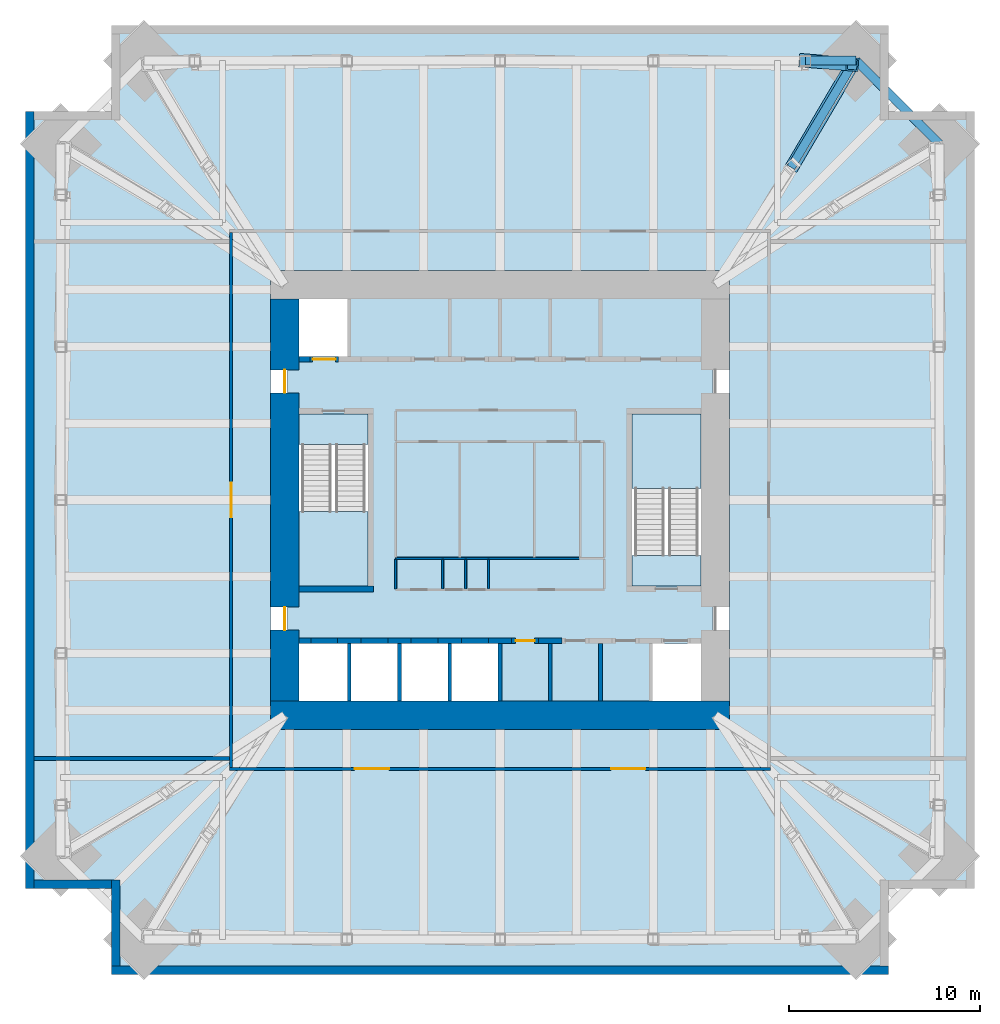
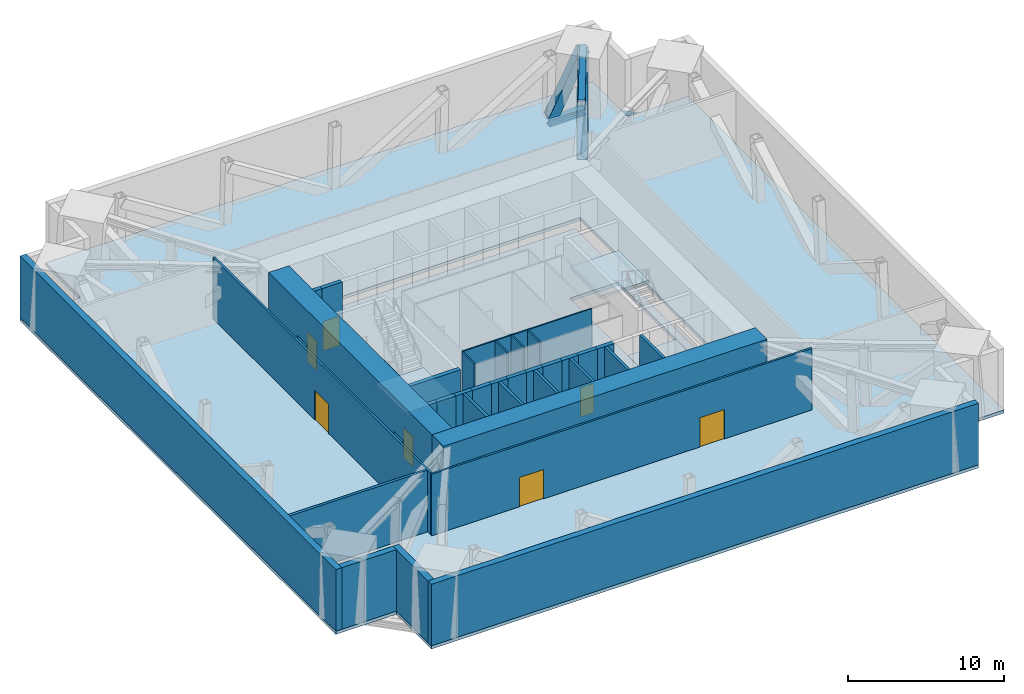
# One storey, part 3 of 6: 34 walls, 7 doors, 6 slabs, 4 members, 1 beam, 7 openings, 2 elements without a shape of their own.
"""IFC4 building model written with IfcOpenShell, lengths in metres."""

from ifc_helpers import new_model, si_unit, direction, frame, frame_2d, origin, origin_2d, place, context, subcontext, project, spatial, polyline, rectangle, hollow_rectangle, i_section, outline, extrude, material, layer, layer_set, material_profile, profile_set, type_object, element, fill, aggregate, save


model = new_model("IFC4")

# Units and contexts
model_context = context("Model", 3, precision=1e-05, world=origin(), true_north=direction((0.0, 1.0)))
body_context = subcontext(model_context, "Body", "Model", "MODEL_VIEW")
ifc_project = project(units=[si_unit("LENGTHUNIT", "METRE"), si_unit("AREAUNIT", "SQUARE_METRE"), si_unit("VOLUMEUNIT", "CUBIC_METRE"), si_unit("PLANEANGLEUNIT", "RADIAN"), si_unit("MASSUNIT", "GRAM", prefix="KILO")], contexts=[model_context])

# Site, building, storey
site_placement = place(None, origin())
site = spatial("IfcSite", under=ifc_project, at=site_placement, CompositionType="ELEMENT")
building_placement = place(site_placement, origin())
building = spatial("IfcBuilding", under=site, at=building_placement, Name="Peilmerk Tower", CompositionType="ELEMENT")
storey_placement = place(building_placement, frame((0.0, 0.0, 196.800048828125)))
storey = spatial("IfcBuildingStorey", under=building, at=storey_placement, Name="L42", CompositionType="ELEMENT", Elevation=196.800048828125)

# Beam
ifc_material_1 = material(Name="Steel S460", Category="steel")
ifc_material_profile_1 = material_profile(ifc_material_1, i_section(OverallWidth=0.4541015625, OverallDepth=0.569091796875, WebThickness=0.077880859375, FlangeThickness=0.125, at=origin_2d()), Name="HD 400x1086")
ifc_profile_set_1 = profile_set([ifc_material_profile_1], Name="Steel S460")
beam_type = type_object("IfcBeamType", Name="B17 HD 400x1086 edge beam", PredefinedType="SPANDREL", material=ifc_profile_set_1)
beam_placement = place(storey_placement, frame((18.611328125, 22.961181640625, -0.53466796875), z_axis=(0.707106781187, -0.707106781187, 0.0), x_axis=(0.707106781187, 0.707106781187, 0.0)))
element("IfcBeam", 1, at=beam_placement, inside=storey, type_object=beam_type, Name="Notch beam L42", PredefinedType="SPANDREL", context=body_context, shape_type="SweptSolid", body=[
    extrude(i_section(OverallWidth=0.4541015625, OverallDepth=0.569091796875, WebThickness=0.077880859375, FlangeThickness=0.125, at=origin_2d()), origin(), (0.0, 0.0, 1.0), 6.151611328125),
])

# Members
ifc_material_profile_2 = material_profile(ifc_material_1, i_section(OverallWidth=0.4541015625, OverallDepth=0.569091796875, WebThickness=0.077880859375, FlangeThickness=0.125, at=origin_2d()), Name="HD 400x1086")
ifc_profile_set_2 = profile_set([ifc_material_profile_2], Name="Steel S460")
member_type_1 = type_object("IfcMemberType", Name="M1 HD 400x1086 belt truss chord", PredefinedType="CHORD", material=ifc_profile_set_2)
member_1_placement = place(storey_placement, frame((18.611328125, 22.961181640625, -0.53466796875), z_axis=(-1.0, 0.0, 0.0), x_axis=(0.0, -1.0, 0.0)))
element("IfcMember", 2, at=member_1_placement, inside=storey, type_object=member_type_1, Name="Belt truss chord L42", PredefinedType="CHORD", context=body_context, shape_type="SweptSolid", body=[
    extrude(i_section(OverallWidth=0.4541015625, OverallDepth=0.569091796875, WebThickness=0.077880859375, FlangeThickness=0.125, at=origin_2d()), origin(), (0.0, 0.0, 1.0), 2.661376953125),
])
member_2_placement = place(storey_placement, frame((15.204833984375, 17.3798828125, 4.54541015625), z_axis=(0.511781298176, 0.859115768006, 0.0), x_axis=(-0.859115768006, 0.511781298176, 0.0)))
element("IfcMember", 3, at=member_2_placement, inside=storey, type_object=member_type_1, Name="Outrigger chord T2 NE", PredefinedType="CHORD", context=body_context, shape_type="SweptSolid", body=[
    extrude(i_section(OverallWidth=0.4541015625, OverallDepth=0.569091796875, WebThickness=0.077880859375, FlangeThickness=0.125, at=origin_2d()), origin(), (0.0, 0.0, 1.0), 6.26220703125),
])
ifc_material_profile_3 = material_profile(ifc_material_1, hollow_rectangle(XDim=0.699951171875, YDim=0.699951171875, WallThickness=0.080078125, at=origin_2d()), Name="BOX 700x700x80")
ifc_profile_set_3 = profile_set([ifc_material_profile_3], Name="Steel S460")
member_type_2 = type_object("IfcMemberType", Name="M4 BOX 700x700x80 outrigger diagonal", PredefinedType="BRACE", material=ifc_profile_set_3)
member_3_placement = place(storey_placement, frame((15.949951171875, 22.961181640625, -0.53466796875), z_axis=(0.435515475554, -0.035662557552, 0.899474542465), x_axis=(0.081612694689, 0.996664119985, 0.0)))
element("IfcMember", 4, at=member_3_placement, inside=storey, type_object=member_type_2, Name="Belt truss diagonal T2 N", PredefinedType="BRACE", context=body_context, shape_type="SweptSolid", body=[
    extrude(hollow_rectangle(XDim=0.699951171875, YDim=0.699951171875, WallThickness=0.080078125, at=origin_2d()), origin(), (0.0, 0.0, 1.0), 5.64794921875),
])
member_4_placement = place(storey_placement, frame((15.3056640625, 17.480712890625, -0.53466796875), z_axis=(0.390107788794, 0.663465527535, 0.638458617997), x_axis=(-0.862028485534, 0.506859832821, 0.0)))
element("IfcMember", 5, at=member_4_placement, inside=storey, type_object=member_type_2, Name="Outrigger diagonal T2", PredefinedType="BRACE", context=body_context, shape_type="SweptSolid", body=[
    extrude(hollow_rectangle(XDim=0.699951171875, YDim=0.699951171875, WallThickness=0.080078125, at=origin_2d()), origin(), (0.0, 0.0, 1.0), 7.956787109375),
])

# Slabs
ifc_material_2 = material(Name="Concrete C55/67", Category="concrete")
ifc_layer_1 = layer(ifc_material_2, 0.25)
ifc_layer_set_1 = layer_set([ifc_layer_1], Name="Concrete C55/67")
slab_type_1 = type_object("IfcSlabType", Name="CS250 250 core floor slab", PredefinedType="FLOOR", material=ifc_layer_set_1)
slab_1_placement = place(storey_placement, frame((0.0, 0.0, -0.25)))
element("IfcSlab", 6, at=slab_1_placement, inside=storey, type_object=slab_type_1, Name="Core slab L42", PredefinedType="FLOOR", context=body_context, shape_type="SweptSolid", body=[
    extrude(outline(polyline([(11.10009765625, -11.10009765625), (11.10009765625, 11.10009765625), (-11.10009765625, 11.10009765625), (-11.10009765625, -11.10009765625), (11.10009765625, -11.10009765625)]), holes=[polyline([(-7.875, 7.5), (-10.5, 7.5), (-10.5, 10.5), (-7.875, 10.5), (-7.875, 7.5)]), polyline([(0.0, -10.5), (-10.5, -10.5), (-10.5, -7.5), (0.0, -7.5), (0.0, -10.5)]), polyline([(7.875, -10.5), (7.875, -7.5), (10.5, -7.5), (10.5, -10.5), (7.875, -10.5)]), polyline([(-10.5, 4.5), (-6.89990234375, 4.5), (-6.89990234375, -4.5), (-10.5, -4.5), (-10.5, 4.5)]), polyline([(10.5, 4.5), (10.5, -4.5), (6.89990234375, -4.5), (6.89990234375, 4.5), (10.5, 4.5)])]), origin(), (0.0, 0.0, 1.0), 0.25),
])
ifc_material_3 = material(Name="Concrete C35/45", Category="concrete")
ifc_layer_2 = layer(ifc_material_3, 0.25)
ifc_layer_set_2 = layer_set([ifc_layer_2], Name="Concrete C35/45")
slab_type_2 = type_object("IfcSlabType", Name="FS250 250 composite floor slab", PredefinedType="FLOOR", material=ifc_layer_set_2)
slab_2_placement = place(storey_placement, frame((0.0, 0.0, -0.25)))
element("IfcSlab", 7, at=slab_2_placement, inside=storey, type_object=slab_type_2, Name="Floor slab L42", PredefinedType="FLOOR", context=body_context, shape_type="SweptSolid", body=[
    extrude(outline(polyline([(-20.300048828125, -24.800048828125), (20.300048828125, -24.800048828125), (20.300048828125, -20.300048828125), (24.800048828125, -20.300048828125), (24.800048828125, 20.300048828125), (20.300048828125, 20.300048828125), (20.300048828125, 24.800048828125), (-20.300048828125, 24.800048828125), (-20.300048828125, 20.300048828125), (-24.800048828125, 20.300048828125), (-24.800048828125, -20.300048828125), (-20.300048828125, -20.300048828125), (-20.300048828125, -24.800048828125)]), holes=[polyline([(12.0, 12.0), (12.0, -12.0), (-12.0, -12.0), (-12.0, 12.0), (12.0, 12.0)])]), origin(), (0.0, 0.0, 1.0), 0.25),
])

# Stair, slab
ifc_material_4 = material(Name="Precast concrete C45/55", Category="concrete")
stair_type_1 = type_object("IfcStairType", Name="ST1 28 risers of 178.6", PredefinedType="HALF_TURN_STAIR", material=ifc_material_4)
stair_1_placement = place(storey_placement, origin())
stair_1 = element("IfcStair", 8, at=stair_1_placement, inside=storey, type_object=stair_type_1, Name="Stair 1 L42 to L43", PredefinedType="HALF_TURN_STAIR")
ifc_layer_3 = layer(ifc_material_3, 0.199951171875)
ifc_layer_set_3 = layer_set([ifc_layer_3], Name="Concrete C35/45")
slab_type_3 = type_object("IfcSlabType", Name="SL1 200 concrete stair landing", PredefinedType="LANDING", material=ifc_layer_set_3)
slab_3_placement = place(storey_placement, frame((0.0, 0.0, 2.300048828125)))
slab_3 = element("IfcSlab", 9, at=slab_3_placement, type_object=slab_type_3, Name="ST1 landing 1", PredefinedType="LANDING", context=body_context, shape_type="SweptSolid", body=[
    extrude(outline(polyline([(-10.5, -4.5), (-6.89990234375, -4.5), (-6.89990234375, -0.610107421875), (-10.5, -0.610107421875), (-10.5, -4.5)])), origin(), (0.0, 0.0, 1.0), 0.199951171875),
])

stair_type_2 = type_object("IfcStairType", Name="ST2 28 risers of 178.6", PredefinedType="HALF_TURN_STAIR", material=ifc_material_4)
stair_2_placement = place(storey_placement, origin())
stair_2 = element("IfcStair", 10, at=stair_2_placement, inside=storey, type_object=stair_type_2, Name="Stair 2 L42 to L43", PredefinedType="HALF_TURN_STAIR")
slab_4_placement = place(storey_placement, frame((0.0, 0.0, 2.300048828125)))
slab_4 = element("IfcSlab", 11, at=slab_4_placement, type_object=slab_type_3, Name="ST2 landing 1", PredefinedType="LANDING", context=body_context, shape_type="SweptSolid", body=[
    extrude(outline(polyline([(6.89990234375, 0.610107421875), (10.5, 0.610107421875), (10.5, 4.5), (6.89990234375, 4.5), (6.89990234375, 0.610107421875)])), origin(), (0.0, 0.0, 1.0), 0.199951171875),
])

# Slab
ifc_layer_4 = layer(ifc_material_3, 0.25)
ifc_layer_set_4 = layer_set([ifc_layer_4], Name="Concrete C35/45")
slab_type_4 = type_object("IfcSlabType", Name="SL2 250 concrete floor landing", PredefinedType="LANDING", material=ifc_layer_set_4)
slab_5_placement = place(storey_placement, frame((0.0, 0.0, -0.25)))
slab_5 = element("IfcSlab", 12, at=slab_5_placement, type_object=slab_type_4, Name="ST1 floor landing", PredefinedType="LANDING", context=body_context, shape_type="SweptSolid", body=[
    extrude(outline(polyline([(-10.5, 2.89990234375), (-6.89990234375, 2.89990234375), (-6.89990234375, 4.5), (-10.5, 4.5), (-10.5, 2.89990234375)])), origin(), (0.0, 0.0, 1.0), 0.25),
])

aggregate(stair_1, [slab_3, slab_5])

slab_6_placement = place(storey_placement, frame((0.0, 0.0, -0.25)))
slab_6 = element("IfcSlab", 13, at=slab_6_placement, type_object=slab_type_4, Name="ST2 floor landing", PredefinedType="LANDING", context=body_context, shape_type="SweptSolid", body=[
    extrude(outline(polyline([(6.89990234375, -4.5), (10.5, -4.5), (10.5, -2.89990234375), (6.89990234375, -2.89990234375), (6.89990234375, -4.5)])), origin(), (0.0, 0.0, 1.0), 0.25),
])

aggregate(stair_2, [slab_4, slab_6])

# Walls
ifc_material_5 = material(Name="Precast concrete C45/55, board-marked finish", Category="concrete")
ifc_layer_5 = layer(ifc_material_5, 0.449951171875)
ifc_layer_set_5 = layer_set([ifc_layer_5], Name="Precast concrete C45/55, board-marked finish")
wall_type_1 = type_object("IfcWallType", Name="EW1 450 precast concrete facade wall, board-marked", PredefinedType="SOLIDWALL", material=ifc_layer_set_5)
for number, where, z_axis, x_axis, name in (
    (14, (-20.300048828125, -24.574951171875, 0.0), (0.0, 0.0, 1.0), (1.0, 0.0, 0.0), "Facade wall S L42"),
    (15, (-24.574951171875, 20.300048828125, 0.0), (0.0, 0.0, 1.0), (0.0, -1.0, 0.0), "Facade wall W L42"),
):
    element("IfcWall", number, at=place(storey_placement, frame(where, z_axis=z_axis, x_axis=x_axis)), inside=storey, type_object=wall_type_1, Name=name, PredefinedType="SOLIDWALL", context=body_context, shape_type="SweptSolid", body=[
        extrude(rectangle(XDim=40.60009765625, YDim=0.449951171875, at=frame_2d((20.300048828125, 0.0))), origin(), (0.0, 0.0, 1.0), 4.829833984375),
    ])
wall_1_placement = place(storey_placement, frame((-20.074951171875, -19.85009765625, 0.0), z_axis=(0.0, 0.0, 1.0), x_axis=(0.0, -1.0, 0.0)))
element("IfcWall", 16, at=wall_1_placement, inside=storey, type_object=wall_type_1, Name="Facade wall SWA L42", PredefinedType="SOLIDWALL", context=body_context, shape_type="SweptSolid", body=[
    extrude(rectangle(XDim=4.5, YDim=0.449951171875, at=frame_2d((2.25, 0.0))), origin(), (0.0, 0.0, 1.0), 4.829833984375),
])
wall_2_placement = place(storey_placement, frame((-20.300048828125, -20.074951171875, 0.0), z_axis=(0.0, 0.0, 1.0), x_axis=(-1.0, 0.0, 0.0)))
element("IfcWall", 17, at=wall_2_placement, inside=storey, type_object=wall_type_1, Name="Facade wall SWB L42", PredefinedType="SOLIDWALL", context=body_context, shape_type="SweptSolid", body=[
    extrude(rectangle(XDim=4.050048828125, YDim=0.449951171875, at=frame_2d((2.02490234375, 0.0))), origin(), (0.0, 0.0, 1.0), 4.829833984375),
])

# Wall, openings, doors
ifc_material_6 = material(Name="Calcium silicate block", Category="masonry")
ifc_layer_6 = layer(ifc_material_6, 0.14990234375)
ifc_layer_set_6 = layer_set([ifc_layer_6], Name="Calcium silicate block")
wall_type_2 = type_object("IfcWallType", Name="IW1 150 corridor partition, EI 60", PredefinedType="PARTITIONING", material=ifc_layer_set_6)
wall_3_placement = place(storey_placement, frame((14.125, -14.050048828125, 0.0), z_axis=(0.0, 0.0, 1.0), x_axis=(-1.0, 0.0, 0.0)))
wall_3 = element("IfcWall", 18, at=wall_3_placement, inside=storey, type_object=wall_type_2, Name="Corridor wall S L42", PredefinedType="PARTITIONING", context=body_context, shape_type="SweptSolid", body=[
    extrude(rectangle(XDim=28.25, YDim=0.14990234375, at=frame_2d((14.125, 0.0))), origin(), (0.0, 0.0, 1.0), 4.829833984375),
])
opening_1_placement = place(wall_3_placement, frame((19.925048828125, 0.0, 0.0)))
opening_1 = element("IfcOpeningElement", 19, at=opening_1_placement, cuts=wall_3, Name="Opening D2", PredefinedType="OPENING", context=body_context, shape_type="SweptSolid", body=[
    extrude(rectangle(XDim=1.800048828125, YDim=2.300048828125, at=frame_2d((0.89990234375, 1.14990234375))), frame((0.0, 0.0849609375, 0.0), z_axis=(0.0, -1.0, 0.0), x_axis=(1.0, 0.0, 0.0)), (0.0, 0.0, 1.0), 0.169921875),
])
opening_2_placement = place(wall_3_placement, frame((6.52490234375, 0.0, 0.0)))
opening_2 = element("IfcOpeningElement", 20, at=opening_2_placement, cuts=wall_3, Name="Opening D2", PredefinedType="OPENING", context=body_context, shape_type="SweptSolid", body=[
    extrude(rectangle(XDim=1.800048828125, YDim=2.300048828125, at=frame_2d((0.89990234375, 1.14990234375))), frame((0.0, 0.0849609375, 0.0), z_axis=(0.0, -1.0, 0.0), x_axis=(1.0, 0.0, 0.0)), (0.0, 0.0, 1.0), 0.169921875),
])
ifc_material_7 = material(Name="Steel door in steel frame", Category="steel")
door_type_1 = type_object("IfcDoorType", Name="D2 1800x2300 double door, EI2 60", OperationType="DOUBLE_DOOR_DOUBLE_SWING", PredefinedType="DOOR", material=ifc_material_7)
door_1_placement = place(opening_1_placement, origin())
door_1 = element("IfcDoor", 21, at=door_1_placement, inside=storey, type_object=door_type_1, Name="Door Air handling plant room L42", OperationType="DOUBLE_DOOR_DOUBLE_SWING", OverallHeight=2.300048828125, OverallWidth=1.800048828125, PredefinedType="DOOR", context=body_context, shape_type="SweptSolid", body=[
    extrude(rectangle(XDim=1.800048828125, YDim=2.300048828125, at=frame_2d((0.89990234375, 1.14990234375))), frame((0.0, 0.02490234375, 0.0), z_axis=(0.0, -1.0, 0.0), x_axis=(1.0, 0.0, 0.0)), (0.0, 0.0, 1.0), 0.050048828125),
])
fill(opening_1, door_1)
door_2_placement = place(opening_2_placement, origin())
door_2 = element("IfcDoor", 22, at=door_2_placement, inside=storey, type_object=door_type_1, Name="Door Air handling plant room L42", OperationType="DOUBLE_DOOR_DOUBLE_SWING", OverallHeight=2.300048828125, OverallWidth=1.800048828125, PredefinedType="DOOR", context=body_context, shape_type="SweptSolid", body=[
    extrude(rectangle(XDim=1.800048828125, YDim=2.300048828125, at=frame_2d((0.89990234375, 1.14990234375))), frame((0.0, 0.02490234375, 0.0), z_axis=(0.0, -1.0, 0.0), x_axis=(1.0, 0.0, 0.0)), (0.0, 0.0, 1.0), 0.050048828125),
])
fill(opening_2, door_2)

# Wall, opening, door
wall_4_placement = place(storey_placement, frame((-14.050048828125, 13.97509765625, 0.0), z_axis=(0.0, 0.0, 1.0), x_axis=(0.0, -1.0, 0.0)))
wall_4 = element("IfcWall", 23, at=wall_4_placement, inside=storey, type_object=wall_type_2, Name="Corridor wall W L42", PredefinedType="PARTITIONING", context=body_context, shape_type="SweptSolid", body=[
    extrude(rectangle(XDim=27.9501953125, YDim=0.14990234375, at=frame_2d((13.97509765625, 0.0))), origin(), (0.0, 0.0, 1.0), 4.829833984375),
])
opening_3_placement = place(wall_4_placement, frame((13.074951171875, 0.0, 0.0)))
opening_3 = element("IfcOpeningElement", 24, at=opening_3_placement, cuts=wall_4, Name="Opening D2", PredefinedType="OPENING", context=body_context, shape_type="SweptSolid", body=[
    extrude(rectangle(XDim=1.800048828125, YDim=2.300048828125, at=frame_2d((0.89990234375, 1.14990234375))), frame((0.0, 0.0849609375, 0.0), z_axis=(0.0, -1.0, 0.0), x_axis=(1.0, 0.0, 0.0)), (0.0, 0.0, 1.0), 0.169921875),
])
door_3_placement = place(opening_3_placement, frame((1.800048828125, 0.0, 0.0), z_axis=(0.0, 0.0, 1.0), x_axis=(-1.0, 0.0, 0.0)))
door_3 = element("IfcDoor", 25, at=door_3_placement, inside=storey, type_object=door_type_1, Name="Door Refuge area L42", OperationType="DOUBLE_DOOR_DOUBLE_SWING", OverallHeight=2.300048828125, OverallWidth=1.800048828125, PredefinedType="DOOR", context=body_context, shape_type="SweptSolid", body=[
    extrude(rectangle(XDim=1.800048828125, YDim=2.300048828125, at=frame_2d((0.89990234375, 1.14990234375))), frame((0.0, 0.02490234375, 0.0), z_axis=(0.0, -1.0, 0.0), x_axis=(1.0, 0.0, 0.0)), (0.0, 0.0, 1.0), 0.050048828125),
])
fill(opening_3, door_3)

# Walls
ifc_layer_7 = layer(ifc_material_6, 0.199951171875)
ifc_layer_set_7 = layer_set([ifc_layer_7], Name="Calcium silicate block")
wall_type_3 = type_object("IfcWallType", Name="IW2 200 room separating wall, EI 120", PredefinedType="PARTITIONING", material=ifc_layer_set_7)
wall_5_placement = place(storey_placement, frame((-14.125, -13.5, 0.0), z_axis=(0.0, 0.0, 1.0), x_axis=(-1.0, 0.0, 0.0)))
element("IfcWall", 26, at=wall_5_placement, inside=storey, type_object=wall_type_3, Name="Room separating wall SW L42", PredefinedType="PARTITIONING", context=body_context, shape_type="SweptSolid", body=[
    extrude(rectangle(XDim=10.22509765625, YDim=0.199951171875, at=frame_2d((5.112548828125, 0.0))), origin(), (0.0, 0.0, 1.0), 4.829833984375),
])
ifc_layer_8 = layer(ifc_material_3, 0.300048828125)
ifc_layer_set_8 = layer_set([ifc_layer_8], Name="Concrete C35/45")
wall_type_4 = type_object("IfcWallType", Name="IW3 300 concrete stair enclosure wall, EI 120", PredefinedType="SOLIDWALL", material=ifc_layer_set_8)
wall_6_placement = place(storey_placement, frame((-6.60009765625, -4.64990234375, 0.0), z_axis=(0.0, 0.0, 1.0), x_axis=(-1.0, 0.0, 0.0)))
element("IfcWall", 27, at=wall_6_placement, inside=storey, type_object=wall_type_4, Name="Stair 1 enclosure L42", PredefinedType="SOLIDWALL", context=body_context, shape_type="SweptSolid", body=[
    extrude(rectangle(XDim=3.89990234375, YDim=0.300048828125, at=frame_2d((1.949951171875, 0.0))), origin(), (0.0, 0.0, 1.0), 4.75),
])
ifc_material_8 = material(Name="Plasterboard on steel studs", Category="steel")
ifc_layer_9 = layer(ifc_material_8, 0.10009765625)
ifc_layer_set_9 = layer_set([ifc_layer_9], Name="Plasterboard on steel studs")
wall_type_5 = type_object("IfcWallType", Name="IW4 100 WC partition", PredefinedType="PARTITIONING", material=ifc_layer_set_9)
wall_7_placement = place(storey_placement, frame((4.14990234375, -3.050048828125, 0.0), z_axis=(0.0, 0.0, 1.0), x_axis=(-1.0, 0.0, 0.0)))
element("IfcWall", 28, at=wall_7_placement, inside=storey, type_object=wall_type_5, Name="WC wall L42", PredefinedType="PARTITIONING", context=body_context, shape_type="SweptSolid", body=[
    extrude(rectangle(XDim=9.599853515625, YDim=0.10009765625, at=frame_2d((4.7998046875, 0.0))), origin(), (0.0, 0.0, 1.0), 4.75),
])
ifc_material_9 = material(Name="Calcium silicate board on steel studs", Category="steel")
ifc_layer_10 = layer(ifc_material_9, 0.10009765625)
ifc_layer_set_10 = layer_set([ifc_layer_10], Name="Calcium silicate board on steel studs")
wall_type_6 = type_object("IfcWallType", Name="IW5 100 riser enclosure wall, EI 60", PredefinedType="PARTITIONING", material=ifc_layer_set_10)
for number, where, z_axis, x_axis, name in (
    (29, (-5.449951171875, -3.10009765625, 0.0), (0.0, 0.0, 1.0), (0.0, -1.0, 0.0), "Riser wall L42"),
    (30, (-3.0, -3.10009765625, 0.0), (0.0, 0.0, 1.0), (0.0, -1.0, 0.0), "Riser wall L42"),
    (31, (-1.800048828125, -3.10009765625, 0.0), (0.0, 0.0, 1.0), (0.0, -1.0, 0.0), "Riser wall L42"),
    (32, (-0.60009765625, -3.10009765625, 0.0), (0.0, 0.0, 1.0), (0.0, -1.0, 0.0), "Riser wall L42"),
):
    element("IfcWall", number, at=place(storey_placement, frame(where, z_axis=z_axis, x_axis=x_axis)), inside=storey, type_object=wall_type_6, Name=name, PredefinedType="PARTITIONING", context=body_context, shape_type="SweptSolid", body=[
        extrude(rectangle(XDim=1.5498046875, YDim=0.10009765625, at=frame_2d((0.77490234375, 0.0))), origin(), (0.0, 0.0, 1.0), 4.75),
    ])
ifc_layer_11 = layer(ifc_material_6, 0.199951171875)
ifc_layer_set_11 = layer_set([ifc_layer_11], Name="Calcium silicate block")
wall_type_7 = type_object("IfcWallType", Name="SH1 200 shaft dividing wall, EI 120", PredefinedType="PARTITIONING", material=ifc_layer_set_11)
for number, where, z_axis, x_axis, name in (
    (33, (-7.875, -10.5, 0.0), (0.0, 0.0, 1.0), (0.0, 1.0, 0.0), "Shaft wall S C4 L42"),
    (34, (-5.25, -10.5, 0.0), (0.0, 0.0, 1.0), (0.0, 1.0, 0.0), "Shaft wall S C3 L42"),
    (35, (-2.625, -10.5, 0.0), (0.0, 0.0, 1.0), (0.0, 1.0, 0.0), "Shaft wall S C2 L42"),
    (36, (0.0, -10.5, 0.0), (0.0, 0.0, 1.0), (0.0, 1.0, 0.0), "Shaft wall S C1 L42"),
    (37, (2.625, -10.5, 0.0), (0.0, 0.0, 1.0), (0.0, 1.0, 0.0), "Shaft wall S B3 L42"),
    (38, (5.25, -10.5, 0.0), (0.0, 0.0, 1.0), (0.0, 1.0, 0.0), "Shaft wall S B2 L42"),
):
    element("IfcWall", number, at=place(storey_placement, frame(where, z_axis=z_axis, x_axis=x_axis)), inside=storey, type_object=wall_type_7, Name=name, PredefinedType="PARTITIONING", context=body_context, shape_type="SweptSolid", body=[
        extrude(rectangle(XDim=3.0, YDim=0.199951171875, at=frame_2d((1.5, 0.0))), origin(), (0.0, 0.0, 1.0), 5.0),
    ])

# Wall, opening, door
ifc_layer_12 = layer(ifc_material_6, 0.300048828125)
ifc_layer_set_12 = layer_set([ifc_layer_12], Name="Calcium silicate block")
wall_type_8 = type_object("IfcWallType", Name="SH2 300 lift landing door panel, EI 120", PredefinedType="PARTITIONING", material=ifc_layer_set_12)
wall_8_placement = place(storey_placement, frame((-9.9375, 7.35009765625, 0.0), z_axis=(0.0, 0.0, 1.0), x_axis=(1.0, 0.0, 0.0)))
wall_8 = element("IfcWall", 39, at=wall_8_placement, inside=storey, type_object=wall_type_8, Name="Lift door panel N FL1 L42", PredefinedType="PARTITIONING", context=body_context, shape_type="SweptSolid", body=[
    extrude(rectangle(XDim=1.5, YDim=0.300048828125, at=frame_2d((0.75, 0.0))), origin(), (0.0, 0.0, 1.0), 5.0),
])
opening_4_placement = place(wall_8_placement, frame((0.14990234375, 0.0, 0.0)))
opening_4 = element("IfcOpeningElement", 40, at=opening_4_placement, cuts=wall_8, Name="Opening LD2", PredefinedType="OPENING", context=body_context, shape_type="SweptSolid", body=[
    extrude(rectangle(XDim=1.199951171875, YDim=2.300048828125, at=frame_2d((0.60009765625, 1.14990234375))), frame((0.0, 0.159912109375, 0.0), z_axis=(0.0, -1.0, 0.0), x_axis=(1.0, 0.0, 0.0)), (0.0, 0.0, 1.0), 0.320068359375),
])
ifc_material_10 = material(Name="Stainless steel landing door", Category="steel")
door_type_2 = type_object("IfcDoorType", Name="LD2 1200x2300 lift landing door, sliding, EI2 60", OperationType="SLIDING_TO_LEFT", PredefinedType="DOOR", material=ifc_material_10)
door_4_placement = place(opening_4_placement, frame((1.199951171875, 0.0, 0.0), z_axis=(0.0, 0.0, 1.0), x_axis=(-1.0, 0.0, 0.0)))
door_4 = element("IfcDoor", 41, at=door_4_placement, inside=storey, type_object=door_type_2, Name="Lift landing door FL1 L42", OperationType="SLIDING_TO_LEFT", OverallHeight=2.300048828125, OverallWidth=1.199951171875, PredefinedType="DOOR", context=body_context, shape_type="SweptSolid", body=[
    extrude(rectangle(XDim=1.199951171875, YDim=2.300048828125, at=frame_2d((0.60009765625, 1.14990234375))), frame((0.0, 0.02490234375, 0.0), z_axis=(0.0, -1.0, 0.0), x_axis=(1.0, 0.0, 0.0)), (0.0, 0.0, 1.0), 0.050048828125),
])
fill(opening_4, door_4)

# Walls
for number, where, z_axis, x_axis, name in (
    (42, (-9.887451171875, -7.35009765625, 0.0), (0.0, 0.0, 1.0), (1.0, 0.0, 0.0), "Lift door panel S C4 L42"),
    (43, (-7.262451171875, -7.35009765625, 0.0), (0.0, 0.0, 1.0), (1.0, 0.0, 0.0), "Lift door panel S C3 L42"),
    (44, (-4.637451171875, -7.35009765625, 0.0), (0.0, 0.0, 1.0), (1.0, 0.0, 0.0), "Lift door panel S C2 L42"),
    (45, (-2.012451171875, -7.35009765625, 0.0), (0.0, 0.0, 1.0), (1.0, 0.0, 0.0), "Lift door panel S C1 L42"),
):
    element("IfcWall", number, at=place(storey_placement, frame(where, z_axis=z_axis, x_axis=x_axis)), inside=storey, type_object=wall_type_8, Name=name, PredefinedType="PARTITIONING", context=body_context, shape_type="SweptSolid", body=[
        extrude(rectangle(XDim=1.39990234375, YDim=0.300048828125, at=frame_2d((0.699951171875, 0.0))), origin(), (0.0, 0.0, 1.0), 5.0),
    ])

# Wall, opening, door
wall_9_placement = place(storey_placement, frame((0.612548828125, -7.35009765625, 0.0), z_axis=(0.0, 0.0, 1.0), x_axis=(1.0, 0.0, 0.0)))
wall_9 = element("IfcWall", 46, at=wall_9_placement, inside=storey, type_object=wall_type_8, Name="Lift door panel S B3 L42", PredefinedType="PARTITIONING", context=body_context, shape_type="SweptSolid", body=[
    extrude(rectangle(XDim=1.39990234375, YDim=0.300048828125, at=frame_2d((0.699951171875, 0.0))), origin(), (0.0, 0.0, 1.0), 5.0),
])
opening_5_placement = place(wall_9_placement, frame((0.199951171875, 0.0, 0.0)))
opening_5 = element("IfcOpeningElement", 47, at=opening_5_placement, cuts=wall_9, Name="Opening D10", PredefinedType="OPENING", context=body_context, shape_type="SweptSolid", body=[
    extrude(rectangle(XDim=1.0, YDim=2.300048828125, at=frame_2d((0.5, 1.14990234375))), frame((0.0, 0.159912109375, 0.0), z_axis=(0.0, -1.0, 0.0), x_axis=(1.0, 0.0, 0.0)), (0.0, 0.0, 1.0), 0.320068359375),
])
door_type_3 = type_object("IfcDoorType", Name="D10 1000x2300 core room door, EI2 60", OperationType="SINGLE_SWING_RIGHT", PredefinedType="DOOR", material=ifc_material_7)
door_5_placement = place(opening_5_placement, frame((1.0, 0.0, 0.0), z_axis=(0.0, 0.0, 1.0), x_axis=(-1.0, 0.0, 0.0)))
door_5 = element("IfcDoor", 48, at=door_5_placement, inside=storey, type_object=door_type_3, Name="Door Plant room L42", OperationType="SINGLE_SWING_RIGHT", OverallHeight=2.300048828125, OverallWidth=1.0, PredefinedType="DOOR", context=body_context, shape_type="SweptSolid", body=[
    extrude(rectangle(XDim=1.0, YDim=2.300048828125, at=frame_2d((0.5, 1.14990234375))), frame((0.0, 0.02490234375, 0.0), z_axis=(0.0, -1.0, 0.0), x_axis=(1.0, 0.0, 0.0)), (0.0, 0.0, 1.0), 0.050048828125),
])
fill(opening_5, door_5)

# Wall
ifc_layer_13 = layer(ifc_material_2, 1.5)
ifc_layer_set_13 = layer_set([ifc_layer_13], Name="Concrete C55/67")
wall_type_9 = type_object("IfcWallType", Name="SW1 1500 core wall", PredefinedType="SHEAR", material=ifc_layer_set_13)
wall_10_placement = place(storey_placement, frame((12.0, -11.25, 0.0), z_axis=(0.0, 0.0, 1.0), x_axis=(-1.0, 0.0, 0.0)))
element("IfcWall", 49, at=wall_10_placement, inside=storey, type_object=wall_type_9, Name="Core wall S L42", PredefinedType="SHEAR", context=body_context, shape_type="SweptSolid", body=[
    extrude(rectangle(XDim=24.0, YDim=1.5, at=frame_2d((12.0, 0.0))), origin(), (0.0, 0.0, 1.0), 5.0),
])

# Wall, openings, doors
wall_11_placement = place(storey_placement, frame((-11.25, -10.5, 0.0), z_axis=(0.0, 0.0, 1.0), x_axis=(0.0, 1.0, 0.0)))
wall_11 = element("IfcWall", 50, at=wall_11_placement, inside=storey, type_object=wall_type_9, Name="Core wall W L42", PredefinedType="SHEAR", context=body_context, shape_type="SweptSolid", body=[
    extrude(rectangle(XDim=21.0, YDim=1.5, at=frame_2d((10.5, 0.0))), origin(), (0.0, 0.0, 1.0), 5.0),
])
opening_6_placement = place(wall_11_placement, frame((16.10009765625, 0.0, 0.0)))
opening_6 = element("IfcOpeningElement", 51, at=opening_6_placement, cuts=wall_11, Name="Opening D3", PredefinedType="OPENING", context=body_context, shape_type="SweptSolid", body=[
    extrude(rectangle(XDim=1.199951171875, YDim=2.300048828125, at=frame_2d((0.60009765625, 1.14990234375))), frame((0.0, 0.760009765625, 0.0), z_axis=(0.0, -1.0, 0.0), x_axis=(1.0, 0.0, 0.0)), (0.0, 0.0, 1.0), 1.52001953125),
])
opening_7_placement = place(wall_11_placement, frame((3.699951171875, 0.0, 0.0)))
opening_7 = element("IfcOpeningElement", 52, at=opening_7_placement, cuts=wall_11, Name="Opening D3", PredefinedType="OPENING", context=body_context, shape_type="SweptSolid", body=[
    extrude(rectangle(XDim=1.199951171875, YDim=2.300048828125, at=frame_2d((0.60009765625, 1.14990234375))), frame((0.0, 0.760009765625, 0.0), z_axis=(0.0, -1.0, 0.0), x_axis=(1.0, 0.0, 0.0)), (0.0, 0.0, 1.0), 1.52001953125),
])
door_type_4 = type_object("IfcDoorType", Name="D3 1200x2300 core door, EI2 60", OperationType="SINGLE_SWING_LEFT", PredefinedType="DOOR", material=ifc_material_7)
door_6_placement = place(opening_6_placement, frame((1.199951171875, 0.0, 0.0), z_axis=(0.0, 0.0, 1.0), x_axis=(-1.0, 0.0, 0.0)))
door_6 = element("IfcDoor", 53, at=door_6_placement, inside=storey, type_object=door_type_4, Name="Core door L42", OperationType="SINGLE_SWING_LEFT", OverallHeight=2.300048828125, OverallWidth=1.199951171875, PredefinedType="DOOR", context=body_context, shape_type="SweptSolid", body=[
    extrude(rectangle(XDim=1.199951171875, YDim=2.300048828125, at=frame_2d((0.60009765625, 1.14990234375))), frame((0.0, 0.02490234375, 0.0), z_axis=(0.0, -1.0, 0.0), x_axis=(1.0, 0.0, 0.0)), (0.0, 0.0, 1.0), 0.050048828125),
])
fill(opening_6, door_6)
door_7_placement = place(opening_7_placement, frame((1.199951171875, 0.0, 0.0), z_axis=(0.0, 0.0, 1.0), x_axis=(-1.0, 0.0, 0.0)))
door_7 = element("IfcDoor", 54, at=door_7_placement, inside=storey, type_object=door_type_4, Name="Core door L42", OperationType="SINGLE_SWING_LEFT", OverallHeight=2.300048828125, OverallWidth=1.199951171875, PredefinedType="DOOR", context=body_context, shape_type="SweptSolid", body=[
    extrude(rectangle(XDim=1.199951171875, YDim=2.300048828125, at=frame_2d((0.60009765625, 1.14990234375))), frame((0.0, 0.02490234375, 0.0), z_axis=(0.0, -1.0, 0.0), x_axis=(1.0, 0.0, 0.0)), (0.0, 0.0, 1.0), 0.050048828125),
])
fill(opening_7, door_7)

# Walls
ifc_layer_14 = layer(ifc_material_2, 0.300048828125)
ifc_layer_set_14 = layer_set([ifc_layer_14], Name="Concrete C55/67")
wall_type_10 = type_object("IfcWallType", Name="SW2 300 lift bank pier", PredefinedType="SHEAR", material=ifc_layer_set_14)
wall_12_placement = place(storey_placement, frame((-10.5, 7.35009765625, 0.0), z_axis=(0.0, 0.0, 1.0), x_axis=(1.0, 0.0, 0.0)))
element("IfcWall", 55, at=wall_12_placement, inside=storey, type_object=wall_type_10, Name="Lift bank pier N L42", PredefinedType="SHEAR", context=body_context, shape_type="SweptSolid", body=[
    extrude(rectangle(XDim=0.5625, YDim=0.300048828125, at=frame_2d((0.28125, 0.0))), origin(), (0.0, 0.0, 1.0), 5.0),
])
wall_13_placement = place(storey_placement, frame((-10.5, -7.35009765625, 0.0), z_axis=(0.0, 0.0, 1.0), x_axis=(1.0, 0.0, 0.0)))
element("IfcWall", 56, at=wall_13_placement, inside=storey, type_object=wall_type_10, Name="Lift bank pier S L42", PredefinedType="SHEAR", context=body_context, shape_type="SweptSolid", body=[
    extrude(rectangle(XDim=0.612548828125, YDim=0.300048828125, at=frame_2d((0.30615234375, 0.0))), origin(), (0.0, 0.0, 1.0), 5.0),
])
for number, where, z_axis, x_axis, name in (
    (57, (-8.487548828125, -7.35009765625, 0.0), (0.0, 0.0, 1.0), (1.0, 0.0, 0.0), "Lift bank pier S L42"),
    (58, (-5.862548828125, -7.35009765625, 0.0), (0.0, 0.0, 1.0), (1.0, 0.0, 0.0), "Lift bank pier S L42"),
    (59, (-3.237548828125, -7.35009765625, 0.0), (0.0, 0.0, 1.0), (1.0, 0.0, 0.0), "Lift bank pier S L42"),
    (60, (-0.612548828125, -7.35009765625, 0.0), (0.0, 0.0, 1.0), (1.0, 0.0, 0.0), "Lift bank pier S L42"),
    (61, (2.012451171875, -7.35009765625, 0.0), (0.0, 0.0, 1.0), (1.0, 0.0, 0.0), "Lift bank pier S L42"),
):
    element("IfcWall", number, at=place(storey_placement, frame(where, z_axis=z_axis, x_axis=x_axis)), inside=storey, type_object=wall_type_10, Name=name, PredefinedType="SHEAR", context=body_context, shape_type="SweptSolid", body=[
        extrude(rectangle(XDim=1.22509765625, YDim=0.300048828125, at=frame_2d((0.612548828125, 0.0))), origin(), (0.0, 0.0, 1.0), 5.0),
    ])

save(model, "model.ifc")
